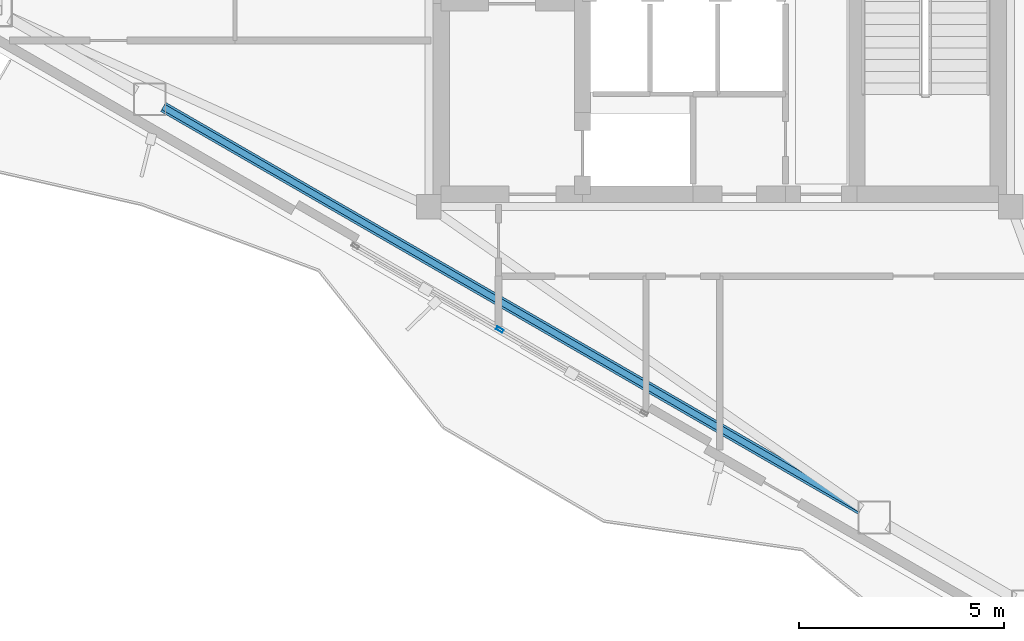
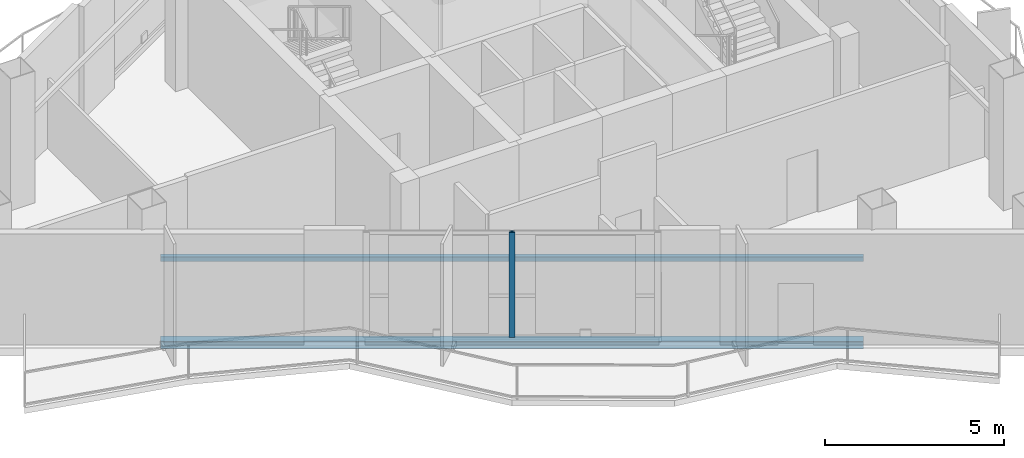
# One storey, part 2 of 14: 2 beams, 1 member, 1 element without a shape of its own.
"""IFC4 building model written with IfcOpenShell, lengths in metres."""

from ifc_helpers import new_model, si_unit, direction, frame, origin, origin_2d, place, context, subcontext, project, spatial, hollow_rectangle, i_section, extrude, material, layer, layer_set, material_profile, profile_set, type_object, element, aggregate, save


model = new_model("IFC4")

# Units and contexts
model_context = context("Model", 3, precision=1e-05, world=origin(), true_north=direction((0.0, 1.0)))
body_context = subcontext(model_context, "Body", "Model", "MODEL_VIEW")
ifc_project = project(units=[si_unit("LENGTHUNIT", "METRE"), si_unit("AREAUNIT", "SQUARE_METRE"), si_unit("VOLUMEUNIT", "CUBIC_METRE"), si_unit("PLANEANGLEUNIT", "RADIAN"), si_unit("MASSUNIT", "GRAM", prefix="KILO")], contexts=[model_context])

# Site, building, storey
site_placement = place(None, origin())
site = spatial("IfcSite", under=ifc_project, at=site_placement, CompositionType="ELEMENT")
building_placement = place(site_placement, origin())
building = spatial("IfcBuilding", under=site, at=building_placement, Name="Mersakhor Tower and Convention Hall", CompositionType="ELEMENT")
storey_placement = place(building_placement, frame((0.0, 0.0, 254.10009765625)))
storey = spatial("IfcBuildingStorey", under=building, at=storey_placement, Name="L71", CompositionType="ELEMENT", Elevation=254.10009765625)

# Beams
ifc_material_1 = material(Name="Steel S355", Category="steel")
ifc_material_profile_1 = material_profile(ifc_material_1, hollow_rectangle(XDim=0.14990234375, YDim=0.14990234375, WallThickness=0.010009765625, at=origin_2d()), Name="SHS 150x150x10")
ifc_profile_set_1 = profile_set([ifc_material_profile_1], Name="Steel S355")
beam_type_1 = type_object("IfcBeamType", Name="BM-GRT-SHS150", PredefinedType="USERDEFINED", material=ifc_profile_set_1)
beam_1_placement = place(storey_placement, frame((32.4423828125, 13.050537109375, 2.47998046875), z_axis=(-0.866021610626, 0.500006569886, 0.0), x_axis=(-0.500006569886, -0.866021610626, 0.0)))
element("IfcBeam", 1, at=beam_1_placement, inside=storey, type_object=beam_type_1, Name="L71 Facade Support Girt GRT-F3", ObjectType="GIRT", PredefinedType="USERDEFINED", context=body_context, shape_type="SweptSolid", body=[
    extrude(hollow_rectangle(XDim=0.14990234375, YDim=0.14990234375, WallThickness=0.010009765625, at=origin_2d()), origin(), (0.0, 0.0, 1.0), 19.661865234375),
])
ifc_material_2 = material(Name="Steel S355", Category="steel")
ifc_material_profile_2 = material_profile(ifc_material_2, i_section(OverallWidth=0.25634765625, OverallDepth=0.26025390625, WebThickness=0.01025390625, FlangeThickness=0.017333984375, at=origin_2d()), Name="UC 254x254x89")
ifc_profile_set_2 = profile_set([ifc_material_profile_2], Name="Steel S355")
beam_type_2 = type_object("IfcBeamType", Name="BM-SPD-UC254", PredefinedType="SPANDREL", material=ifc_profile_set_2)
beam_2_placement = place(storey_placement, frame((32.4423828125, 13.050537109375, -0.41015625), z_axis=(-0.866021610626, 0.500006569886, 0.0), x_axis=(-0.500006569886, -0.866021610626, 0.0)))
element("IfcBeam", 2, at=beam_2_placement, inside=storey, type_object=beam_type_2, Name="L71 Perimeter Spandrel Beam SPB-10", PredefinedType="SPANDREL", context=body_context, shape_type="SweptSolid", body=[
    extrude(i_section(OverallWidth=0.25634765625, OverallDepth=0.26025390625, WebThickness=0.01025390625, FlangeThickness=0.017333984375, at=origin_2d()), origin(), (0.0, 0.0, 1.0), 19.661865234375),
])

# Curtain wall, member
ifc_material_3 = material(Name="Dark solar low-E aluminium curtain wall", Category="aluminium")
ifc_layer = layer(ifc_material_3, 0.2099609375)
ifc_layer_set = layer_set([ifc_layer], Name="Dark solar low-E aluminium curtain wall")
curtain_wall_type = type_object("IfcCurtainWallType", Name="CW-SYS-06", PredefinedType="USERDEFINED", material=ifc_layer_set)
curtain_wall_placement = place(storey_placement, origin())
curtain_wall = element("IfcCurtainWall", 3, at=curtain_wall_placement, inside=storey, type_object=curtain_wall_type, Name="L71 Dark-Glass Curtain Wall F3-B2", ObjectType="CURTAIN WALL", PredefinedType="USERDEFINED")
ifc_material_4 = material(Name="Anodised aluminium EN AW-6063 T6", Category="aluminium")
ifc_material_profile_3 = material_profile(ifc_material_4, hollow_rectangle(XDim=0.080078125, YDim=0.179931640625, WallThickness=0.008056640625, at=origin_2d()), Name="RHS 180x80x8")
ifc_profile_set_3 = profile_set([ifc_material_profile_3], Name="Anodised aluminium EN AW-6063 T6")
member_type = type_object("IfcMemberType", Name="CWM-180x80", PredefinedType="MULLION", material=ifc_profile_set_3)
member_placement = place(storey_placement, frame((23.628662109375, 17.446533203125, 0.199951171875), z_axis=(0.0, 0.0, 1.0), x_axis=(-0.500004411169, -0.86602285698, 0.0)))
member = element("IfcMember", 4, at=member_placement, type_object=member_type, Name="CW-06 mullion 2", PredefinedType="MULLION", context=body_context, shape_type="SweptSolid", body=[
    extrude(hollow_rectangle(XDim=0.080078125, YDim=0.179931640625, WallThickness=0.008056640625, at=origin_2d()), origin(), (0.0, 0.0, 1.0), 3.599853515625),
])
aggregate(curtain_wall, [member])

save(model, "model.ifc")
